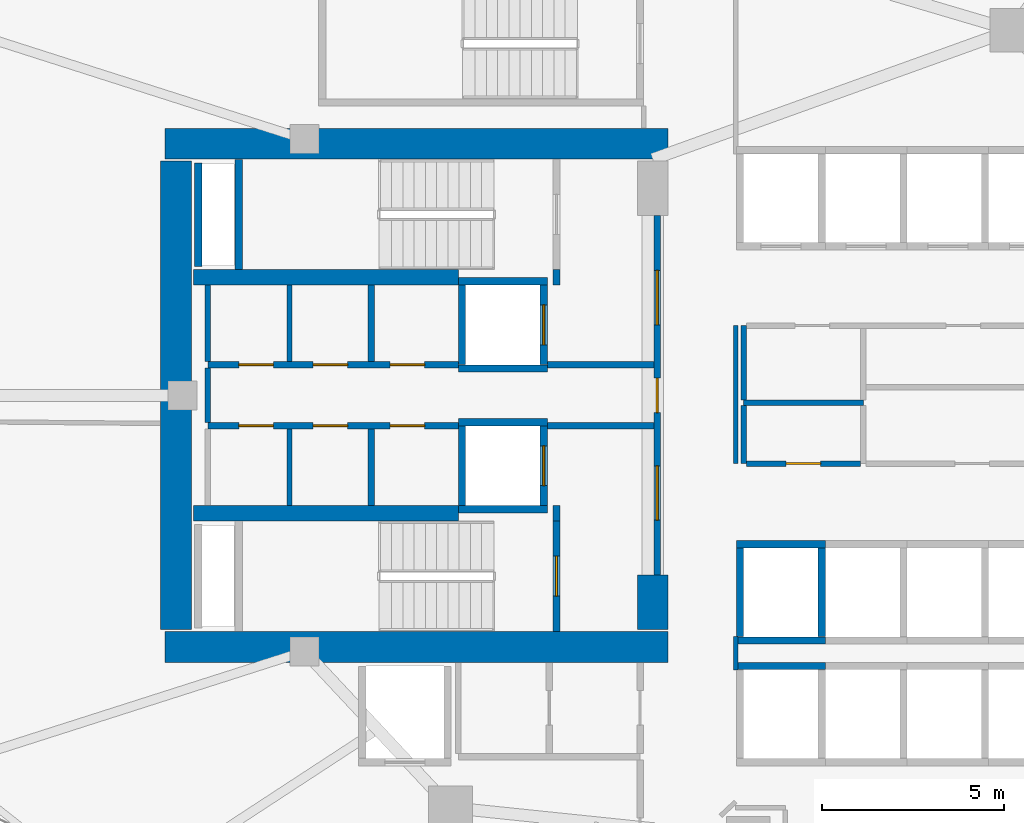
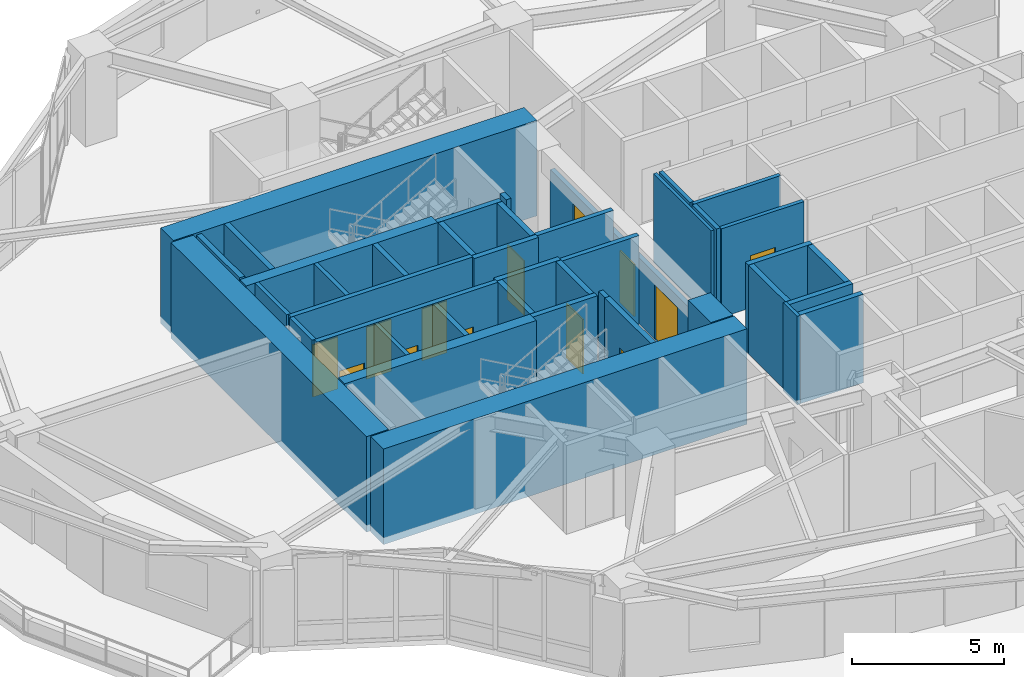
# One storey, part 9 of 18: 41 walls, 13 doors, 13 openings.
"""IFC4 building model written with IfcOpenShell, lengths in metres."""

from ifc_helpers import new_model, si_unit, direction, frame, frame_2d, origin, place, context, subcontext, project, spatial, rectangle, extrude, material, layer, layer_set, type_object, element, fill, save


model = new_model("IFC4")

# Units and contexts
model_context = context("Model", 3, precision=1e-05, world=origin(), true_north=direction((0.0, 1.0)))
body_context = subcontext(model_context, "Body", "Model", "MODEL_VIEW")
ifc_project = project(units=[si_unit("LENGTHUNIT", "METRE"), si_unit("AREAUNIT", "SQUARE_METRE"), si_unit("VOLUMEUNIT", "CUBIC_METRE"), si_unit("PLANEANGLEUNIT", "RADIAN"), si_unit("MASSUNIT", "GRAM", prefix="KILO")], contexts=[model_context])

# Site, building, storey
site_placement = place(None, origin())
site = spatial("IfcSite", under=ifc_project, at=site_placement, CompositionType="ELEMENT")
building_placement = place(site_placement, origin())
building = spatial("IfcBuilding", under=site, at=building_placement, Name="Kolvaren Gate Tower and Convention Centre", CompositionType="ELEMENT")
storey_placement = place(building_placement, frame((0.0, 0.0, 53.449951171875)))
storey = spatial("IfcBuildingStorey", under=building, at=storey_placement, Name="L12", CompositionType="ELEMENT", Elevation=53.449951171875)

# Walls
ifc_material_1 = material(Name="Autoclaved Aerated Masonry Blockwork Class 4 (4.0 MPa)", Category="masonry")
ifc_layer_1 = layer(ifc_material_1, 0.179931640625)
ifc_layer_set_1 = layer_set([ifc_layer_1], Name="Autoclaved Aerated Masonry Blockwork Class 4 (4.0 MPa)")
wall_type_1 = type_object("IfcWallType", Name="ARCH-WL-COMP-180", PredefinedType="SOLIDWALL", material=ifc_layer_set_1)
for number, where, z_axis, x_axis, name in (
    (1, (24.85009765625, 23.5400390625, 0.0), (0.0, 0.0, 1.0), (0.0, 1.0, 0.0), "Interior Partition WL-L12-INT-001"),
    (2, (24.85009765625, 30.0400390625, 0.0), (0.0, 0.0, 1.0), (0.0, 1.0, 0.0), "Interior Partition WL-L12-INT-002"),
):
    element("IfcWall", number, at=place(storey_placement, frame(where, z_axis=z_axis, x_axis=x_axis)), inside=storey, type_object=wall_type_1, Name=name, PredefinedType="SOLIDWALL", context=body_context, shape_type="SweptSolid", body=[
        extrude(rectangle(XDim=0.419921875, YDim=0.179931640625, at=frame_2d((0.2099609375, 0.0))), origin(), (0.0, 0.0, 1.0), 3.570068359375),
    ])

# Wall, openings, doors
wall_1_placement = place(storey_placement, frame((27.6201171875, 22.050048828125, 0.0), z_axis=(0.0, 0.0, 1.0), x_axis=(0.0, 1.0, 0.0)))
wall_1 = element("IfcWall", 3, at=wall_1_placement, inside=storey, type_object=wall_type_1, Name="Interior Partition WL-L12-INT-003", PredefinedType="SOLIDWALL", context=body_context, shape_type="SweptSolid", body=[
    extrude(rectangle(XDim=9.89990234375, YDim=0.179931640625, at=frame_2d((4.949951171875, 0.0))), origin(), (0.0, 0.0, 1.0), 2.662109375),
])
opening_1_placement = place(wall_1_placement, frame((4.47509765625, 0.0, 0.0)))
opening_1 = element("IfcOpeningElement", 4, at=opening_1_placement, cuts=wall_1, Name="Opening DR-01", PredefinedType="OPENING", context=body_context, shape_type="SweptSolid", body=[
    extrude(rectangle(XDim=0.949951171875, YDim=2.10009765625, at=frame_2d((0.47509765625, 1.050048828125))), frame((0.0, 0.099853515625, 0.0), z_axis=(0.0, -1.0, 0.0), x_axis=(1.0, 0.0, 0.0)), (0.0, 0.0, 1.0), 0.199951171875),
])
opening_2_placement = place(wall_1_placement, frame((6.889892578125, 0.0, 0.0)))
opening_2 = element("IfcOpeningElement", 5, at=opening_2_placement, cuts=wall_1, Name="Opening DL-01", PredefinedType="OPENING", context=body_context, shape_type="SweptSolid", body=[
    extrude(rectangle(XDim=1.5, YDim=2.199951171875, at=frame_2d((0.75, 1.10009765625))), frame((0.0, 0.099853515625, 0.0), z_axis=(0.0, -1.0, 0.0), x_axis=(1.0, 0.0, 0.0)), (0.0, 0.0, 1.0), 0.199951171875),
])
opening_3_placement = place(wall_1_placement, frame((1.510009765625, 0.0, 0.0)))
opening_3 = element("IfcOpeningElement", 6, at=opening_3_placement, cuts=wall_1, Name="Opening DL-01", PredefinedType="OPENING", context=body_context, shape_type="SweptSolid", body=[
    extrude(rectangle(XDim=1.5, YDim=2.199951171875, at=frame_2d((0.75, 1.10009765625))), frame((0.0, 0.099853515625, 0.0), z_axis=(0.0, -1.0, 0.0), x_axis=(1.0, 0.0, 0.0)), (0.0, 0.0, 1.0), 0.199951171875),
])
ifc_material_2 = material(Name="Painted Architectural Steelwork ASTM A500 Grade C 345 MPa", Category="steel")
door_type_1 = type_object("IfcDoorType", Name="ARCH-DR-LOBBY-1500", OperationType="DOUBLE_DOOR_SINGLE_SWING", PredefinedType="DOOR", material=ifc_material_2)
door_1_placement = place(opening_2_placement, origin())
door_1 = element("IfcDoor", 7, at=door_1_placement, inside=storey, type_object=door_type_1, Name="North Firefighting Stair and Lift Lobby Door", OperationType="DOUBLE_DOOR_SINGLE_SWING", OverallHeight=2.199951171875, OverallWidth=1.5, PredefinedType="DOOR", context=body_context, shape_type="SweptSolid", body=[
    extrude(rectangle(XDim=1.5, YDim=2.199951171875, at=frame_2d((0.75, 1.10009765625))), frame((0.0, 0.02490234375, 0.0), z_axis=(0.0, -1.0, 0.0), x_axis=(1.0, 0.0, 0.0)), (0.0, 0.0, 1.0), 0.050048828125),
])
fill(opening_2, door_1)
door_2_placement = place(opening_3_placement, origin())
door_2 = element("IfcDoor", 8, at=door_2_placement, inside=storey, type_object=door_type_1, Name="South Firefighting Stair and Lift Lobby Door", OperationType="DOUBLE_DOOR_SINGLE_SWING", OverallHeight=2.199951171875, OverallWidth=1.5, PredefinedType="DOOR", context=body_context, shape_type="SweptSolid", body=[
    extrude(rectangle(XDim=1.5, YDim=2.199951171875, at=frame_2d((0.75, 1.10009765625))), frame((0.0, 0.02490234375, 0.0), z_axis=(0.0, -1.0, 0.0), x_axis=(1.0, 0.0, 0.0)), (0.0, 0.0, 1.0), 0.050048828125),
])
fill(opening_3, door_2)
door_type_2 = type_object("IfcDoorType", Name="ARCH-DR-RISER-950", OperationType="SINGLE_SWING_RIGHT", PredefinedType="DOOR", material=ifc_material_2)
door_3_placement = place(opening_1_placement, origin())
door_3 = element("IfcDoor", 9, at=door_3_placement, inside=storey, type_object=door_type_2, Name="Central MEP Service Corridor Door", OperationType="SINGLE_SWING_LEFT", OverallHeight=2.10009765625, OverallWidth=0.949951171875, PredefinedType="DOOR", context=body_context, shape_type="SweptSolid", body=[
    extrude(rectangle(XDim=0.949951171875, YDim=2.10009765625, at=frame_2d((0.47509765625, 1.050048828125))), frame((0.0, 0.02490234375, 0.0), z_axis=(0.0, -1.0, 0.0), x_axis=(1.0, 0.0, 0.0)), (0.0, 0.0, 1.0), 0.050048828125),
])
fill(opening_1, door_3)

wall_2_placement = place(storey_placement, frame((15.25, 27.840087890625, 0.0), z_axis=(0.0, 0.0, 1.0), x_axis=(1.0, 0.0, 0.0)))
wall_2 = element("IfcWall", 10, at=wall_2_placement, inside=storey, type_object=wall_type_1, Name="Interior Partition WL-L12-INT-004", PredefinedType="SOLIDWALL", context=body_context, shape_type="SweptSolid", body=[
    extrude(rectangle(XDim=6.89990234375, YDim=0.179931640625, at=frame_2d((3.449951171875, 0.0))), origin(), (0.0, 0.0, 1.0), 3.570068359375),
])
opening_4_placement = place(wall_2_placement, frame((5.02001953125, 0.0, 0.0)))
opening_4 = element("IfcOpeningElement", 11, at=opening_4_placement, cuts=wall_2, Name="Opening DR-01", PredefinedType="OPENING", context=body_context, shape_type="SweptSolid", body=[
    extrude(rectangle(XDim=0.949951171875, YDim=2.10009765625, at=frame_2d((0.47509765625, 1.050048828125))), frame((0.0, 0.099853515625, 0.0), z_axis=(0.0, -1.0, 0.0), x_axis=(1.0, 0.0, 0.0)), (0.0, 0.0, 1.0), 0.199951171875),
])
opening_5_placement = place(wall_2_placement, frame((0.85498046875, 0.0, 0.0)))
opening_5 = element("IfcOpeningElement", 12, at=opening_5_placement, cuts=wall_2, Name="Opening DR-01", PredefinedType="OPENING", context=body_context, shape_type="SweptSolid", body=[
    extrude(rectangle(XDim=0.949951171875, YDim=2.10009765625, at=frame_2d((0.47509765625, 1.050048828125))), frame((0.0, 0.099853515625, 0.0), z_axis=(0.0, -1.0, 0.0), x_axis=(1.0, 0.0, 0.0)), (0.0, 0.0, 1.0), 0.199951171875),
])
opening_6_placement = place(wall_2_placement, frame((2.89990234375, 0.0, 0.0)))
opening_6 = element("IfcOpeningElement", 13, at=opening_6_placement, cuts=wall_2, Name="Opening DR-01", PredefinedType="OPENING", context=body_context, shape_type="SweptSolid", body=[
    extrude(rectangle(XDim=0.949951171875, YDim=2.10009765625, at=frame_2d((0.47509765625, 1.050048828125))), frame((0.0, 0.099853515625, 0.0), z_axis=(0.0, -1.0, 0.0), x_axis=(1.0, 0.0, 0.0)), (0.0, 0.0, 1.0), 0.199951171875),
])
door_4_placement = place(opening_4_placement, origin())
door_4 = element("IfcDoor", 14, at=door_4_placement, inside=storey, type_object=door_type_2, Name="Electrical Switchgear Closet Door", OperationType="SINGLE_SWING_RIGHT", OverallHeight=2.10009765625, OverallWidth=0.949951171875, PredefinedType="DOOR", context=body_context, shape_type="SweptSolid", body=[
    extrude(rectangle(XDim=0.949951171875, YDim=2.10009765625, at=frame_2d((0.47509765625, 1.050048828125))), frame((0.0, 0.02490234375, 0.0), z_axis=(0.0, -1.0, 0.0), x_axis=(1.0, 0.0, 0.0)), (0.0, 0.0, 1.0), 0.050048828125),
])
fill(opening_4, door_4)
door_5_placement = place(opening_5_placement, origin())
door_5 = element("IfcDoor", 15, at=door_5_placement, inside=storey, type_object=door_type_2, Name="Staff Accessible WC Door", OperationType="SINGLE_SWING_RIGHT", OverallHeight=2.10009765625, OverallWidth=0.949951171875, PredefinedType="DOOR", context=body_context, shape_type="SweptSolid", body=[
    extrude(rectangle(XDim=0.949951171875, YDim=2.10009765625, at=frame_2d((0.47509765625, 1.050048828125))), frame((0.0, 0.02490234375, 0.0), z_axis=(0.0, -1.0, 0.0), x_axis=(1.0, 0.0, 0.0)), (0.0, 0.0, 1.0), 0.050048828125),
])
fill(opening_5, door_5)
door_6_placement = place(opening_6_placement, origin())
door_6 = element("IfcDoor", 16, at=door_6_placement, inside=storey, type_object=door_type_2, Name="Housekeeping Sink Closet Door", OperationType="SINGLE_SWING_LEFT", OverallHeight=2.10009765625, OverallWidth=0.949951171875, PredefinedType="DOOR", context=body_context, shape_type="SweptSolid", body=[
    extrude(rectangle(XDim=0.949951171875, YDim=2.10009765625, at=frame_2d((0.47509765625, 1.050048828125))), frame((0.0, 0.02490234375, 0.0), z_axis=(0.0, -1.0, 0.0), x_axis=(1.0, 0.0, 0.0)), (0.0, 0.0, 1.0), 0.050048828125),
])
fill(opening_6, door_6)

# Wall
wall_3_placement = place(storey_placement, frame((24.60009765625, 27.840087890625, 0.0), z_axis=(0.0, 0.0, 1.0), x_axis=(1.0, 0.0, 0.0)))
element("IfcWall", 17, at=wall_3_placement, inside=storey, type_object=wall_type_1, Name="Interior Partition WL-L12-INT-004 (2)", PredefinedType="SOLIDWALL", context=body_context, shape_type="SweptSolid", body=[
    extrude(rectangle(XDim=2.927978515625, YDim=0.179931640625, at=frame_2d((1.4638671875, 0.0))), origin(), (0.0, 0.0, 1.0), 3.570068359375),
])

# Wall, openings, doors
wall_4_placement = place(storey_placement, frame((15.25, 26.159912109375, 0.0), z_axis=(0.0, 0.0, 1.0), x_axis=(1.0, 0.0, 0.0)))
wall_4 = element("IfcWall", 18, at=wall_4_placement, inside=storey, type_object=wall_type_1, Name="Interior Partition WL-L12-INT-005", PredefinedType="SOLIDWALL", context=body_context, shape_type="SweptSolid", body=[
    extrude(rectangle(XDim=6.89990234375, YDim=0.179931640625, at=frame_2d((3.449951171875, 0.0))), origin(), (0.0, 0.0, 1.0), 3.570068359375),
])
opening_7_placement = place(wall_4_placement, frame((5.02001953125, 0.0, 0.0)))
opening_7 = element("IfcOpeningElement", 19, at=opening_7_placement, cuts=wall_4, Name="Opening DR-01", PredefinedType="OPENING", context=body_context, shape_type="SweptSolid", body=[
    extrude(rectangle(XDim=0.949951171875, YDim=2.10009765625, at=frame_2d((0.47509765625, 1.050048828125))), frame((0.0, 0.099853515625, 0.0), z_axis=(0.0, -1.0, 0.0), x_axis=(1.0, 0.0, 0.0)), (0.0, 0.0, 1.0), 0.199951171875),
])
opening_8_placement = place(wall_4_placement, frame((0.85498046875, 0.0, 0.0)))
opening_8 = element("IfcOpeningElement", 20, at=opening_8_placement, cuts=wall_4, Name="Opening DR-01", PredefinedType="OPENING", context=body_context, shape_type="SweptSolid", body=[
    extrude(rectangle(XDim=0.949951171875, YDim=2.10009765625, at=frame_2d((0.47509765625, 1.050048828125))), frame((0.0, 0.099853515625, 0.0), z_axis=(0.0, -1.0, 0.0), x_axis=(1.0, 0.0, 0.0)), (0.0, 0.0, 1.0), 0.199951171875),
])
opening_9_placement = place(wall_4_placement, frame((2.89990234375, 0.0, 0.0)))
opening_9 = element("IfcOpeningElement", 21, at=opening_9_placement, cuts=wall_4, Name="Opening DR-01", PredefinedType="OPENING", context=body_context, shape_type="SweptSolid", body=[
    extrude(rectangle(XDim=0.949951171875, YDim=2.10009765625, at=frame_2d((0.47509765625, 1.050048828125))), frame((0.0, 0.099853515625, 0.0), z_axis=(0.0, -1.0, 0.0), x_axis=(1.0, 0.0, 0.0)), (0.0, 0.0, 1.0), 0.199951171875),
])
door_7_placement = place(opening_7_placement, origin())
door_7 = element("IfcDoor", 22, at=door_7_placement, inside=storey, type_object=door_type_2, Name="Domestic Water Meter Closet Door", OperationType="SINGLE_SWING_LEFT", OverallHeight=2.10009765625, OverallWidth=0.949951171875, PredefinedType="DOOR", context=body_context, shape_type="SweptSolid", body=[
    extrude(rectangle(XDim=0.949951171875, YDim=2.10009765625, at=frame_2d((0.47509765625, 1.050048828125))), frame((0.0, 0.02490234375, 0.0), z_axis=(0.0, -1.0, 0.0), x_axis=(1.0, 0.0, 0.0)), (0.0, 0.0, 1.0), 0.050048828125),
])
fill(opening_7, door_7)
door_8_placement = place(opening_8_placement, origin())
door_8 = element("IfcDoor", 23, at=door_8_placement, inside=storey, type_object=door_type_2, Name="Beverage Service Pantry Door", OperationType="SINGLE_SWING_RIGHT", OverallHeight=2.10009765625, OverallWidth=0.949951171875, PredefinedType="DOOR", context=body_context, shape_type="SweptSolid", body=[
    extrude(rectangle(XDim=0.949951171875, YDim=2.10009765625, at=frame_2d((0.47509765625, 1.050048828125))), frame((0.0, 0.02490234375, 0.0), z_axis=(0.0, -1.0, 0.0), x_axis=(1.0, 0.0, 0.0)), (0.0, 0.0, 1.0), 0.050048828125),
])
fill(opening_8, door_8)
door_9_placement = place(opening_9_placement, origin())
door_9 = element("IfcDoor", 24, at=door_9_placement, inside=storey, type_object=door_type_2, Name="Archive Supply Closet Door", OperationType="SINGLE_SWING_LEFT", OverallHeight=2.10009765625, OverallWidth=0.949951171875, PredefinedType="DOOR", context=body_context, shape_type="SweptSolid", body=[
    extrude(rectangle(XDim=0.949951171875, YDim=2.10009765625, at=frame_2d((0.47509765625, 1.050048828125))), frame((0.0, 0.02490234375, 0.0), z_axis=(0.0, -1.0, 0.0), x_axis=(1.0, 0.0, 0.0)), (0.0, 0.0, 1.0), 0.050048828125),
])
fill(opening_9, door_9)

# Walls
wall_5_placement = place(storey_placement, frame((24.60009765625, 26.159912109375, 0.0), z_axis=(0.0, 0.0, 1.0), x_axis=(1.0, 0.0, 0.0)))
element("IfcWall", 25, at=wall_5_placement, inside=storey, type_object=wall_type_1, Name="Interior Partition WL-L12-INT-005 (2)", PredefinedType="SOLIDWALL", context=body_context, shape_type="SweptSolid", body=[
    extrude(rectangle(XDim=2.927978515625, YDim=0.179931640625, at=frame_2d((1.4638671875, 0.0))), origin(), (0.0, 0.0, 1.0), 3.570068359375),
])
for number, where, z_axis, x_axis, name in (
    (26, (19.75, 23.9619140625, 0.0), (0.0, 0.0, 1.0), (0.0, 1.0, 0.0), "Interior Partition WL-L12-INT-007"),
    (27, (19.75, 27.931884765625, 0.0), (0.0, 0.0, 1.0), (0.0, 1.0, 0.0), "Interior Partition WL-L12-INT-008"),
):
    element("IfcWall", number, at=place(storey_placement, frame(where, z_axis=z_axis, x_axis=x_axis)), inside=storey, type_object=wall_type_1, Name=name, PredefinedType="SOLIDWALL", context=body_context, shape_type="SweptSolid", body=[
        extrude(rectangle(XDim=2.106201171875, YDim=0.179931640625, at=frame_2d((1.05322265625, 0.0))), origin(), (0.0, 0.0, 1.0), 3.570068359375),
    ])
ifc_material_3 = material(Name="Fire-Rated Acoustic Gypsum Stud Partition", Category="gypsum")
ifc_layer_2 = layer(ifc_material_3, 0.1201171875)
ifc_layer_set_2 = layer_set([ifc_layer_2], Name="Fire-Rated Acoustic Gypsum Stud Partition")
wall_type_2 = type_object("IfcWallType", Name="ARCH-WL-PART-120", PredefinedType="PARTITIONING", material=ifc_layer_set_2)
wall_6_placement = place(storey_placement, frame((29.780029296875, 19.43994140625, 0.0), z_axis=(0.0, 0.0, 1.0), x_axis=(0.0, 1.0, 0.0)))
element("IfcWall", 28, at=wall_6_placement, inside=storey, type_object=wall_type_2, Name="Interior Partition WL-L12-INT-028", PredefinedType="PARTITIONING", context=body_context, shape_type="SweptSolid", body=[
    extrude(rectangle(XDim=0.920166015625, YDim=0.1201171875, at=frame_2d((0.4599609375, 0.0))), origin(), (0.0, 0.0, 1.0), 3.570068359375),
])
wall_7_placement = place(storey_placement, frame((29.780029296875, 25.1201171875, 0.0), z_axis=(0.0, 0.0, 1.0), x_axis=(0.0, 1.0, 0.0)))
element("IfcWall", 29, at=wall_7_placement, inside=storey, type_object=wall_type_2, Name="Interior Partition WL-L12-INT-029", PredefinedType="PARTITIONING", context=body_context, shape_type="SweptSolid", body=[
    extrude(rectangle(XDim=3.7998046875, YDim=0.1201171875, at=frame_2d((1.89990234375, 0.0))), origin(), (0.0, 0.0, 1.0), 3.570068359375),
])
ifc_layer_3 = layer(ifc_material_1, 0.199951171875)
ifc_layer_set_3 = layer_set([ifc_layer_3], Name="Autoclaved Aerated Masonry Blockwork Class 4 (4.0 MPa)")
wall_type_3 = type_object("IfcWallType", Name="ARCH-WL-SHAFT-200", PredefinedType="SOLIDWALL", material=ifc_layer_set_3)
for number, where, z_axis, x_axis, name in (
    (30, (22.14990234375, 30.139892578125, 0.0), (0.0, 0.0, 1.0), (1.0, 0.0, 0.0), "Elevator FF-01 L12 Fire Shaft Wall N"),
    (31, (22.14990234375, 27.739990234375, 0.0), (0.0, 0.0, 1.0), (1.0, 0.0, 0.0), "Elevator FF-01 L12 Fire Shaft Wall S"),
):
    element("IfcWall", number, at=place(storey_placement, frame(where, z_axis=z_axis, x_axis=x_axis)), inside=storey, type_object=wall_type_3, Name=name, PredefinedType="SOLIDWALL", context=body_context, shape_type="SweptSolid", body=[
        extrude(rectangle(XDim=2.4501953125, YDim=0.199951171875, at=frame_2d((1.22509765625, 0.0))), origin(), (0.0, 0.0, 1.0), 3.570068359375),
    ])
wall_8_placement = place(storey_placement, frame((22.25, 27.85009765625, 0.0), z_axis=(0.0, 0.0, 1.0), x_axis=(0.0, 1.0, 0.0)))
element("IfcWall", 32, at=wall_8_placement, inside=storey, type_object=wall_type_3, Name="Elevator FF-01 L12 Fire Shaft Wall W", PredefinedType="SOLIDWALL", context=body_context, shape_type="SweptSolid", body=[
    extrude(rectangle(XDim=2.179931640625, YDim=0.199951171875, at=frame_2d((1.08984375, 0.0))), origin(), (0.0, 0.0, 1.0), 3.570068359375),
])

# Wall, opening, door
wall_9_placement = place(storey_placement, frame((24.5, 27.85009765625, 0.0), z_axis=(0.0, 0.0, 1.0), x_axis=(0.0, 1.0, 0.0)))
wall_9 = element("IfcWall", 33, at=wall_9_placement, inside=storey, type_object=wall_type_3, Name="Elevator FF-01 L12 Fire Shaft Wall E", PredefinedType="SOLIDWALL", context=body_context, shape_type="SweptSolid", body=[
    extrude(rectangle(XDim=2.179931640625, YDim=0.199951171875, at=frame_2d((1.08984375, 0.0))), origin(), (0.0, 0.0, 1.0), 3.570068359375),
])
opening_10_placement = place(wall_9_placement, frame((0.5400390625, 0.0, 0.0)))
opening_10 = element("IfcOpeningElement", 34, at=opening_10_placement, cuts=wall_9, Name="Opening LD", PredefinedType="OPENING", context=body_context, shape_type="SweptSolid", body=[
    extrude(rectangle(XDim=1.10009765625, YDim=2.199951171875, at=frame_2d((0.550048828125, 1.10009765625))), frame((0.0, 0.10986328125, 0.0), z_axis=(0.0, -1.0, 0.0), x_axis=(1.0, 0.0, 0.0)), (0.0, 0.0, 1.0), 0.219970703125),
])
ifc_material_4 = material(Name="Brushed Stainless Steel Grade 316L", Category="steel")
door_type_3 = type_object("IfcDoorType", Name="ARCH-DR-LIFT-1100", OperationType="SLIDING_TO_LEFT", PredefinedType="DOOR", material=ifc_material_4)
door_10_placement = place(opening_10_placement, origin())
door_10 = element("IfcDoor", 35, at=door_10_placement, inside=storey, type_object=door_type_3, Name="Elevator FF-01 L12 Sliding Landing Door", OperationType="SLIDING_TO_LEFT", OverallHeight=2.199951171875, OverallWidth=1.10009765625, PredefinedType="DOOR", context=body_context, shape_type="SweptSolid", body=[
    extrude(rectangle(XDim=1.10009765625, YDim=2.199951171875, at=frame_2d((0.550048828125, 1.10009765625))), frame((0.0, 0.02490234375, 0.0), z_axis=(0.0, -1.0, 0.0), x_axis=(1.0, 0.0, 0.0)), (0.0, 0.0, 1.0), 0.050048828125),
])
fill(opening_10, door_10)

# Walls
for number, where, z_axis, x_axis, name in (
    (36, (22.14990234375, 26.260009765625, 0.0), (0.0, 0.0, 1.0), (1.0, 0.0, 0.0), "Elevator FF-02 L12 Fire Shaft Wall N"),
    (37, (22.14990234375, 23.860107421875, 0.0), (0.0, 0.0, 1.0), (1.0, 0.0, 0.0), "Elevator FF-02 L12 Fire Shaft Wall S"),
):
    element("IfcWall", number, at=place(storey_placement, frame(where, z_axis=z_axis, x_axis=x_axis)), inside=storey, type_object=wall_type_3, Name=name, PredefinedType="SOLIDWALL", context=body_context, shape_type="SweptSolid", body=[
        extrude(rectangle(XDim=2.4501953125, YDim=0.199951171875, at=frame_2d((1.22509765625, 0.0))), origin(), (0.0, 0.0, 1.0), 3.570068359375),
    ])
wall_10_placement = place(storey_placement, frame((22.25, 23.969970703125, 0.0), z_axis=(0.0, 0.0, 1.0), x_axis=(0.0, 1.0, 0.0)))
element("IfcWall", 38, at=wall_10_placement, inside=storey, type_object=wall_type_3, Name="Elevator FF-02 L12 Fire Shaft Wall W", PredefinedType="SOLIDWALL", context=body_context, shape_type="SweptSolid", body=[
    extrude(rectangle(XDim=2.179931640625, YDim=0.199951171875, at=frame_2d((1.08984375, 0.0))), origin(), (0.0, 0.0, 1.0), 3.570068359375),
])

# Wall, opening, door
wall_11_placement = place(storey_placement, frame((24.5, 23.969970703125, 0.0), z_axis=(0.0, 0.0, 1.0), x_axis=(0.0, 1.0, 0.0)))
wall_11 = element("IfcWall", 39, at=wall_11_placement, inside=storey, type_object=wall_type_3, Name="Elevator FF-02 L12 Fire Shaft Wall E", PredefinedType="SOLIDWALL", context=body_context, shape_type="SweptSolid", body=[
    extrude(rectangle(XDim=2.179931640625, YDim=0.199951171875, at=frame_2d((1.08984375, 0.0))), origin(), (0.0, 0.0, 1.0), 3.570068359375),
])
opening_11_placement = place(wall_11_placement, frame((0.5400390625, 0.0, 0.0)))
opening_11 = element("IfcOpeningElement", 40, at=opening_11_placement, cuts=wall_11, Name="Opening LD", PredefinedType="OPENING", context=body_context, shape_type="SweptSolid", body=[
    extrude(rectangle(XDim=1.10009765625, YDim=2.199951171875, at=frame_2d((0.550048828125, 1.10009765625))), frame((0.0, 0.10986328125, 0.0), z_axis=(0.0, -1.0, 0.0), x_axis=(1.0, 0.0, 0.0)), (0.0, 0.0, 1.0), 0.219970703125),
])
door_11_placement = place(opening_11_placement, origin())
door_11 = element("IfcDoor", 41, at=door_11_placement, inside=storey, type_object=door_type_3, Name="Elevator FF-02 L12 Sliding Landing Door", OperationType="SLIDING_TO_LEFT", OverallHeight=2.199951171875, OverallWidth=1.10009765625, PredefinedType="DOOR", context=body_context, shape_type="SweptSolid", body=[
    extrude(rectangle(XDim=1.10009765625, YDim=2.199951171875, at=frame_2d((0.550048828125, 1.10009765625))), frame((0.0, 0.02490234375, 0.0), z_axis=(0.0, -1.0, 0.0), x_axis=(1.0, 0.0, 0.0)), (0.0, 0.0, 1.0), 0.050048828125),
])
fill(opening_11, door_11)

# Walls
for number, where, z_axis, x_axis, name in (
    (42, (29.800048828125, 19.550048828125, 0.0), (0.0, 0.0, 1.0), (1.0, 0.0, 0.0), "Elevator PL-05 L12 Fire Shaft Wall N"),
    (43, (29.800048828125, 22.89990234375, 0.0), (0.0, 0.0, 1.0), (1.0, 0.0, 0.0), "Elevator PL-09 L12 Fire Shaft Wall N"),
    (44, (29.800048828125, 20.25, 0.0), (0.0, 0.0, 1.0), (1.0, 0.0, 0.0), "Elevator PL-09 L12 Fire Shaft Wall S"),
):
    element("IfcWall", number, at=place(storey_placement, frame(where, z_axis=z_axis, x_axis=x_axis)), inside=storey, type_object=wall_type_3, Name=name, PredefinedType="SOLIDWALL", context=body_context, shape_type="SweptSolid", body=[
        extrude(rectangle(XDim=2.449951171875, YDim=0.199951171875, at=frame_2d((1.22509765625, 0.0))), origin(), (0.0, 0.0, 1.0), 3.570068359375),
    ])
for number, where, z_axis, x_axis, name in (
    (45, (29.89990234375, 20.360107421875, 0.0), (0.0, 0.0, 1.0), (0.0, 1.0, 0.0), "Elevator PL-09 L12 Fire Shaft Wall W"),
    (46, (32.14990234375, 20.360107421875, 0.0), (0.0, 0.0, 1.0), (0.0, 1.0, 0.0), "Elevator PL-09 L12 Fire Shaft Wall E"),
):
    element("IfcWall", number, at=place(storey_placement, frame(where, z_axis=z_axis, x_axis=x_axis)), inside=storey, type_object=wall_type_3, Name=name, PredefinedType="SOLIDWALL", context=body_context, shape_type="SweptSolid", body=[
        extrude(rectangle(XDim=2.429931640625, YDim=0.199951171875, at=frame_2d((1.21484375, 0.0))), origin(), (0.0, 0.0, 1.0), 3.570068359375),
    ])
wall_12_placement = place(storey_placement, frame((14.989990234375, 30.550048828125, 0.0), z_axis=(0.0, 0.0, 1.0), x_axis=(0.0, 1.0, 0.0)))
element("IfcWall", 47, at=wall_12_placement, inside=storey, type_object=wall_type_3, Name="Vertical Shaft HVR L12 EI-120 Enclosure Wall W", PredefinedType="SOLIDWALL", context=body_context, shape_type="SweptSolid", body=[
    extrude(rectangle(XDim=2.849853515625, YDim=0.199951171875, at=frame_2d((1.4248046875, 0.0))), origin(), (0.0, 0.0, 1.0), 3.570068359375),
])
ifc_material_5 = material(Name="Moisture-Resistant Cement-Board Acoustic Partition", Category="gypsum")
ifc_layer_4 = layer(ifc_material_5, 0.14990234375)
ifc_layer_set_4 = layer_set([ifc_layer_4], Name="Moisture-Resistant Cement-Board Acoustic Partition")
wall_type_4 = type_object("IfcWallType", Name="ARCH-WL-WET-150", PredefinedType="PARTITIONING", material=ifc_layer_set_4)
wall_13_placement = place(storey_placement, frame((15.25, 26.251953125, 0.0), z_axis=(0.0, 0.0, 1.0), x_axis=(0.0, 1.0, 0.0)))
element("IfcWall", 48, at=wall_13_placement, inside=storey, type_object=wall_type_4, Name="Interior Partition WL-L12-INT-006 (2)", PredefinedType="PARTITIONING", context=body_context, shape_type="SweptSolid", body=[
    extrude(rectangle(XDim=1.49609375, YDim=0.14990234375, at=frame_2d((0.748046875, 0.0))), origin(), (0.0, 0.0, 1.0), 3.570068359375),
])
for number, where, z_axis, x_axis, name in (
    (49, (15.25, 27.931884765625, 0.0), (0.0, 0.0, 1.0), (0.0, 1.0, 0.0), "Interior Partition WL-L12-INT-006 (3)"),
    (50, (17.5, 23.9619140625, 0.0), (0.0, 0.0, 1.0), (0.0, 1.0, 0.0), "Interior Partition WL-L12-INT-009"),
    (51, (17.5, 27.931884765625, 0.0), (0.0, 0.0, 1.0), (0.0, 1.0, 0.0), "Interior Partition WL-L12-INT-010"),
):
    element("IfcWall", number, at=place(storey_placement, frame(where, z_axis=z_axis, x_axis=x_axis)), inside=storey, type_object=wall_type_4, Name=name, PredefinedType="PARTITIONING", context=body_context, shape_type="SweptSolid", body=[
        extrude(rectangle(XDim=2.106201171875, YDim=0.14990234375, at=frame_2d((1.05322265625, 0.0))), origin(), (0.0, 0.0, 1.0), 3.570068359375),
    ])
wall_14_placement = place(storey_placement, frame((30.0, 26.800048828125, 0.0), z_axis=(0.0, 0.0, 1.0), x_axis=(1.0, 0.0, 0.0)))
element("IfcWall", 52, at=wall_14_placement, inside=storey, type_object=wall_type_4, Name="Interior Partition WL-L12-INT-015", PredefinedType="PARTITIONING", context=body_context, shape_type="SweptSolid", body=[
    extrude(rectangle(XDim=3.300048828125, YDim=0.14990234375, at=frame_2d((1.64990234375, 0.0))), origin(), (0.0, 0.0, 1.0), 3.570068359375),
])
wall_15_placement = place(storey_placement, frame((30.0, 25.1201171875, 0.0), z_axis=(0.0, 0.0, 1.0), x_axis=(0.0, 1.0, 0.0)))
element("IfcWall", 53, at=wall_15_placement, inside=storey, type_object=wall_type_4, Name="Interior Partition WL-L12-INT-016", PredefinedType="PARTITIONING", context=body_context, shape_type="SweptSolid", body=[
    extrude(rectangle(XDim=1.602783203125, YDim=0.14990234375, at=frame_2d((0.80126953125, 0.0))), origin(), (0.0, 0.0, 1.0), 3.570068359375),
])
wall_16_placement = place(storey_placement, frame((30.0, 26.876953125, 0.0), z_axis=(0.0, 0.0, 1.0), x_axis=(0.0, 1.0, 0.0)))
element("IfcWall", 54, at=wall_16_placement, inside=storey, type_object=wall_type_4, Name="Interior Partition WL-L12-INT-016 (2)", PredefinedType="PARTITIONING", context=body_context, shape_type="SweptSolid", body=[
    extrude(rectangle(XDim=2.04296875, YDim=0.14990234375, at=frame_2d((1.021484375, 0.0))), origin(), (0.0, 0.0, 1.0), 3.570068359375),
])

# Wall, opening, door
wall_17_placement = place(storey_placement, frame((30.076904296875, 25.1201171875, 0.0), z_axis=(0.0, 0.0, 1.0), x_axis=(1.0, 0.0, 0.0)))
wall_17 = element("IfcWall", 55, at=wall_17_placement, inside=storey, type_object=wall_type_4, Name="Interior Partition WL-L12-INT-019", PredefinedType="PARTITIONING", context=body_context, shape_type="SweptSolid", body=[
    extrude(rectangle(XDim=3.14599609375, YDim=0.14990234375, at=frame_2d((1.572998046875, 0.0))), origin(), (0.0, 0.0, 1.0), 3.570068359375),
])
opening_12_placement = place(wall_17_placement, frame((1.097900390625, 0.0, 0.0)))
opening_12 = element("IfcOpeningElement", 56, at=opening_12_placement, cuts=wall_17, Name="Opening DR-01", PredefinedType="OPENING", context=body_context, shape_type="SweptSolid", body=[
    extrude(rectangle(XDim=0.949951171875, YDim=2.10009765625, at=frame_2d((0.47509765625, 1.050048828125))), frame((0.0, 0.0849609375, 0.0), z_axis=(0.0, -1.0, 0.0), x_axis=(1.0, 0.0, 0.0)), (0.0, 0.0, 1.0), 0.169921875),
])
door_12_placement = place(opening_12_placement, origin())
door_12 = element("IfcDoor", 57, at=door_12_placement, inside=storey, type_object=door_type_2, Name="South Visitor Washroom Door", OperationType="SINGLE_SWING_RIGHT", OverallHeight=2.10009765625, OverallWidth=0.949951171875, PredefinedType="DOOR", context=body_context, shape_type="SweptSolid", body=[
    extrude(rectangle(XDim=0.949951171875, YDim=2.10009765625, at=frame_2d((0.47509765625, 1.050048828125))), frame((0.0, 0.02490234375, 0.0), z_axis=(0.0, -1.0, 0.0), x_axis=(1.0, 0.0, 0.0)), (0.0, 0.0, 1.0), 0.050048828125),
])
fill(opening_12, door_12)

# Walls
ifc_material_6 = material(Name="Concrete C50/60", Category="concrete")
ifc_layer_5 = layer(ifc_material_6, 0.419921875)
ifc_layer_set_5 = layer_set([ifc_layer_5], Name="Concrete C50/60")
wall_type_5 = type_object("IfcWallType", Name="STR-WL-CONV-420", PredefinedType="SHEAR", material=ifc_layer_set_5)
for number, where, z_axis, x_axis, name in (
    (58, (14.85009765625, 30.25, -0.280029296875), (0.0, 0.0, 1.0), (1.0, 0.0, 0.0), "Tower L12 Offset Core Shear Wall WN"),
    (59, (14.85009765625, 23.75, -0.280029296875), (0.0, 0.0, 1.0), (1.0, 0.0, 0.0), "Tower L12 Offset Core Shear Wall WS"),
):
    element("IfcWall", number, at=place(storey_placement, frame(where, z_axis=z_axis, x_axis=x_axis)), inside=storey, type_object=wall_type_5, Name=name, PredefinedType="SHEAR", context=body_context, shape_type="SweptSolid", body=[
        extrude(rectangle(XDim=7.2998046875, YDim=0.419921875, at=frame_2d((3.64990234375, 0.0))), origin(), (0.0, 0.0, 1.0), 3.85009765625),
    ])
ifc_material_7 = material(Name="Concrete C70/85", Category="concrete")
ifc_layer_6 = layer(ifc_material_7, 0.85009765625)
ifc_layer_set_6 = layer_set([ifc_layer_6], Name="Concrete C70/85")
wall_type_6 = type_object("IfcWallType", Name="STR-WL-CORE-850", PredefinedType="SHEAR", material=ifc_layer_set_6)
for number, where, z_axis, x_axis, name in (
    (60, (14.074951171875, 33.925048828125, -0.280029296875), (0.0, 0.0, 1.0), (1.0, 0.0, 0.0), "Tower L12 Offset Core Shear Wall N"),
    (61, (14.074951171875, 20.074951171875, -0.280029296875), (0.0, 0.0, 1.0), (1.0, 0.0, 0.0), "Tower L12 Offset Core Shear Wall S"),
):
    element("IfcWall", number, at=place(storey_placement, frame(where, z_axis=z_axis, x_axis=x_axis)), inside=storey, type_object=wall_type_6, Name=name, PredefinedType="SHEAR", context=body_context, shape_type="SweptSolid", body=[
        extrude(rectangle(XDim=13.85009765625, YDim=0.85009765625, at=frame_2d((6.925048828125, 0.0))), origin(), (0.0, 0.0, 1.0), 3.85009765625),
    ])
wall_18_placement = place(storey_placement, frame((14.375, 20.550048828125, -0.280029296875), z_axis=(0.0, 0.0, 1.0), x_axis=(0.0, 1.0, 0.0)))
element("IfcWall", 62, at=wall_18_placement, inside=storey, type_object=wall_type_6, Name="Tower L12 Offset Core Shear Wall W", PredefinedType="SHEAR", context=body_context, shape_type="SweptSolid", body=[
    extrude(rectangle(XDim=12.89990234375, YDim=0.85009765625, at=frame_2d((6.449951171875, 0.0))), origin(), (0.0, 0.0, 1.0), 3.85009765625),
])
wall_19_placement = place(storey_placement, frame((27.5, 20.550048828125, -0.280029296875), z_axis=(0.0, 0.0, 1.0), x_axis=(0.0, 1.0, 0.0)))
element("IfcWall", 63, at=wall_19_placement, inside=storey, type_object=wall_type_6, Name="Tower L12 Offset Core Shear Wall ES", PredefinedType="SHEAR", context=body_context, shape_type="SweptSolid", body=[
    extrude(rectangle(XDim=1.5, YDim=0.85009765625, at=frame_2d((0.75, 0.0))), origin(), (0.0, 0.0, 1.0), 3.85009765625),
])
ifc_layer_7 = layer(ifc_material_6, 0.199951171875)
ifc_layer_set_7 = layer_set([ifc_layer_7], Name="Concrete C50/60")
wall_type_7 = type_object("IfcWallType", Name="STR-WL-SHAFT-200", PredefinedType="SHEAR", material=ifc_layer_set_7)
wall_20_placement = place(storey_placement, frame((16.10009765625, 30.4619140625, -0.280029296875), z_axis=(0.0, 0.0, 1.0), x_axis=(0.0, 1.0, 0.0)))
element("IfcWall", 64, at=wall_20_placement, inside=storey, type_object=wall_type_7, Name="Tower North Exit Stair ST-T1 L12 Structural Shear Enclosure Wall FAR", PredefinedType="SHEAR", context=body_context, shape_type="SweptSolid", body=[
    extrude(rectangle(XDim=3.0361328125, YDim=0.199951171875, at=frame_2d((1.51806640625, 0.0))), origin(), (0.0, 0.0, 1.0), 3.85009765625),
])

# Wall, opening, door
wall_21_placement = place(storey_placement, frame((24.85009765625, 20.501953125, -0.280029296875), z_axis=(0.0, 0.0, 1.0), x_axis=(0.0, 1.0, 0.0)))
wall_21 = element("IfcWall", 65, at=wall_21_placement, inside=storey, type_object=wall_type_7, Name="Tower South Exit Stair ST-T2 L12 Structural Shear Enclosure Wall NEAR", PredefinedType="SHEAR", context=body_context, shape_type="SweptSolid", body=[
    extrude(rectangle(XDim=3.0380859375, YDim=0.199951171875, at=frame_2d((1.51904296875, 0.0))), origin(), (0.0, 0.0, 1.0), 3.85009765625),
])
opening_13_placement = place(wall_21_placement, frame((0.968994140625, 0.0, 0.280029296875)))
opening_13 = element("IfcOpeningElement", 66, at=opening_13_placement, cuts=wall_21, Name="Opening DS-01", PredefinedType="OPENING", context=body_context, shape_type="SweptSolid", body=[
    extrude(rectangle(XDim=1.10009765625, YDim=2.14990234375, at=frame_2d((0.550048828125, 1.074951171875))), frame((0.0, 0.10986328125, 0.0), z_axis=(0.0, -1.0, 0.0), x_axis=(1.0, 0.0, 0.0)), (0.0, 0.0, 1.0), 0.219970703125),
])
door_type_4 = type_object("IfcDoorType", Name="ARCH-DR-STAIR-1100", OperationType="SINGLE_SWING_LEFT", PredefinedType="DOOR", material=ifc_material_2)
door_13_placement = place(opening_13_placement, origin())
door_13 = element("IfcDoor", 67, at=door_13_placement, inside=storey, type_object=door_type_4, Name="Tower South Exit Stair ST-T2 L12 Fire Exit Stair Door", OperationType="SINGLE_SWING_RIGHT", OverallHeight=2.14990234375, OverallWidth=1.10009765625, PredefinedType="DOOR", context=body_context, shape_type="SweptSolid", body=[
    extrude(rectangle(XDim=1.10009765625, YDim=2.14990234375, at=frame_2d((0.550048828125, 1.074951171875))), frame((0.0, 0.02490234375, 0.0), z_axis=(0.0, -1.0, 0.0), x_axis=(1.0, 0.0, 0.0)), (0.0, 0.0, 1.0), 0.050048828125),
])
fill(opening_13, door_13)

save(model, "model.ifc")
